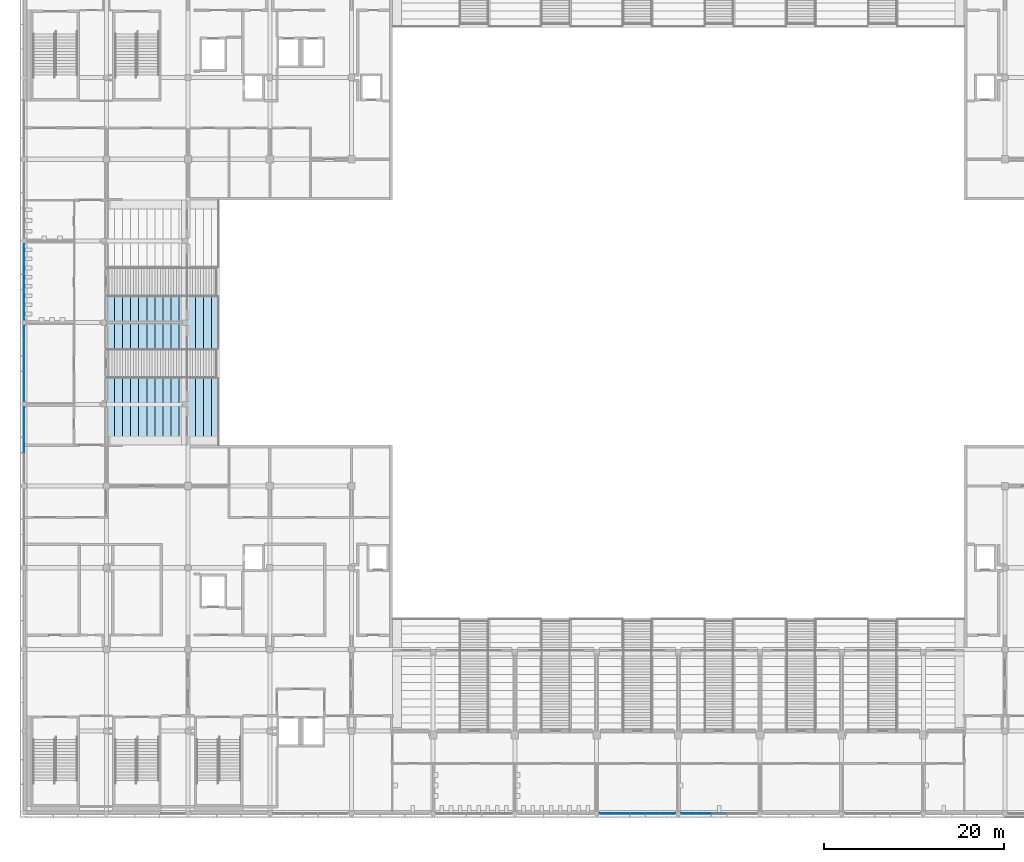
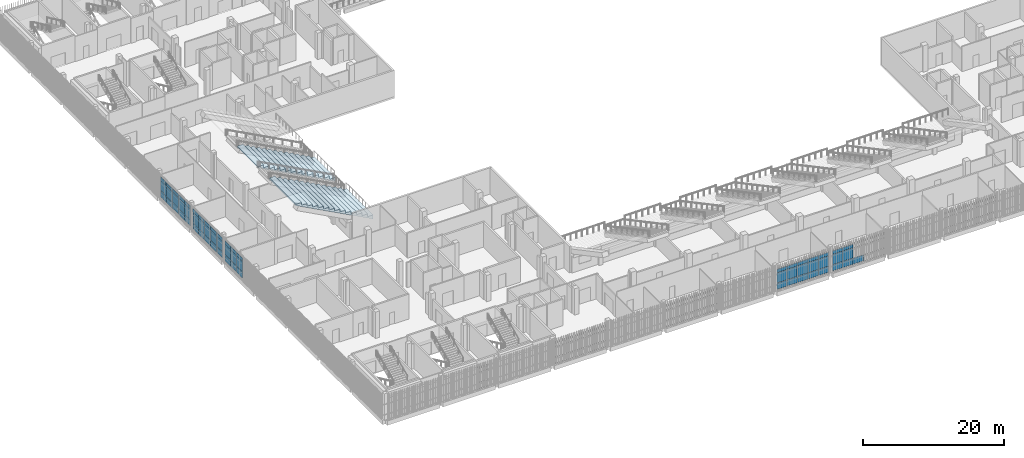
# One storey, part 64 of 139: 61 plates, 2 slabs, 5 elements without a shape of their own.
"""IFC4 building model written with IfcOpenShell, lengths in metres."""

from ifc_helpers import new_model, si_unit, direction, frame, origin, origin_2d, place, context, subcontext, project, spatial, polyline, rectangle, outline, extrude, material, layer, layer_set, type_object, element, aggregate, save


model = new_model("IFC4")

# Units and contexts
model_context = context("Model", 3, precision=1e-05, world=origin(), true_north=direction((0.0, 1.0)))
body_context = subcontext(model_context, "Body", "Model", "MODEL_VIEW")
ifc_project = project(units=[si_unit("LENGTHUNIT", "METRE"), si_unit("AREAUNIT", "SQUARE_METRE"), si_unit("VOLUMEUNIT", "CUBIC_METRE"), si_unit("PLANEANGLEUNIT", "RADIAN"), si_unit("MASSUNIT", "GRAM", prefix="KILO")], contexts=[model_context])

# Site, building, storey
site_placement = place(None, origin())
site = spatial("IfcSite", under=ifc_project, at=site_placement, CompositionType="ELEMENT")
building_placement = place(site_placement, origin())
building = spatial("IfcBuilding", under=site, at=building_placement, Name="Shirokan Park Arena", CompositionType="ELEMENT")
storey_placement = place(building_placement, frame((0.0, 0.0, 15.469970703125)))
storey = spatial("IfcBuildingStorey", under=building, at=storey_placement, Name="L03", CompositionType="ELEMENT", Elevation=15.469970703125)

# Curtain wall, plates
ifc_material_1 = material(Name="Steel and glass curtain wall", Category="steel")
ifc_layer_1 = layer(ifc_material_1, 0.14990234375)
ifc_layer_set_1 = layer_set([ifc_layer_1], Name="Steel and glass curtain wall 150 mm")
curtain_wall_type = type_object("IfcCurtainWallType", Name="Curtain wall exposed bay 150", PredefinedType="NOTDEFINED", material=ifc_layer_set_1)
curtain_wall_1_placement = place(storey_placement, origin())
curtain_wall_1 = element("IfcCurtainWall", 1, at=curtain_wall_1_placement, inside=storey, type_object=curtain_wall_type, Name="Curtain wall south bay 8 L03", PredefinedType="NOTDEFINED")
ifc_material_2 = material(Name="Aluminium sheet", Category="aluminium")
ifc_layer_2 = layer(ifc_material_2, 0.0029296875, Name="Aluminium sheet")
ifc_material_3 = material(Name="Mineral wool insulation")
ifc_layer_3 = layer(ifc_material_3, 0.053955078125, Name="Mineral wool insulation")
ifc_layer_4 = layer(ifc_material_2, 0.0029296875, Name="Aluminium sheet")
ifc_layer_set_2 = layer_set([ifc_layer_2, ifc_layer_3, ifc_layer_4], Name="Aluminium sheet + Mineral wool insulation")
plate_type_1 = type_object("IfcPlateType", Name="Insulated spandrel panel 60", PredefinedType="CURTAIN_PANEL", material=ifc_layer_set_2)
plate_1_placement = place(storey_placement, frame((64.847412109375, -0.074951171875, 2.919921875), z_axis=(0.0, 0.0, 1.0), x_axis=(1.0, 0.0, 0.0)))
plate_1 = element("IfcPlate", 2, at=plate_1_placement, type_object=plate_type_1, Name="CW1 panel 1.3", PredefinedType="CURTAIN_PANEL", context=body_context, shape_type="SweptSolid", body=[
    extrude(rectangle(XDim=1.594970703125, YDim=0.06005859375, at=origin_2d()), origin(), (0.0, 0.0, 1.0), 0.590087890625),
])
plate_2_placement = place(storey_placement, frame((66.530029296875, -0.074951171875, 2.919921875), z_axis=(0.0, 0.0, 1.0), x_axis=(1.0, 0.0, 0.0)))
plate_2 = element("IfcPlate", 3, at=plate_2_placement, type_object=plate_type_1, Name="CW1 panel 2.3", PredefinedType="CURTAIN_PANEL", context=body_context, shape_type="SweptSolid", body=[
    extrude(rectangle(XDim=1.669921875, YDim=0.06005859375, at=origin_2d()), origin(), (0.0, 0.0, 1.0), 0.590087890625),
])
plate_3_placement = place(storey_placement, frame((68.25, -0.074951171875, 2.919921875), z_axis=(0.0, 0.0, 1.0), x_axis=(1.0, 0.0, 0.0)))
plate_3 = element("IfcPlate", 4, at=plate_3_placement, type_object=plate_type_1, Name="CW1 panel 3.3", PredefinedType="CURTAIN_PANEL", context=body_context, shape_type="SweptSolid", body=[
    extrude(rectangle(XDim=1.669921875, YDim=0.06005859375, at=origin_2d()), origin(), (0.0, 0.0, 1.0), 0.590087890625),
])
plate_4_placement = place(storey_placement, frame((69.969970703125, -0.074951171875, 2.919921875), z_axis=(0.0, 0.0, 1.0), x_axis=(1.0, 0.0, 0.0)))
plate_4 = element("IfcPlate", 5, at=plate_4_placement, type_object=plate_type_1, Name="CW1 panel 4.3", PredefinedType="CURTAIN_PANEL", context=body_context, shape_type="SweptSolid", body=[
    extrude(rectangle(XDim=1.669921875, YDim=0.06005859375, at=origin_2d()), origin(), (0.0, 0.0, 1.0), 0.590087890625),
])
plate_5_placement = place(storey_placement, frame((71.652587890625, -0.074951171875, 2.919921875), z_axis=(0.0, 0.0, 1.0), x_axis=(1.0, 0.0, 0.0)))
plate_5 = element("IfcPlate", 6, at=plate_5_placement, type_object=plate_type_1, Name="CW1 panel 5.3", PredefinedType="CURTAIN_PANEL", context=body_context, shape_type="SweptSolid", body=[
    extrude(rectangle(XDim=1.594970703125, YDim=0.06005859375, at=origin_2d()), origin(), (0.0, 0.0, 1.0), 0.590087890625),
])

curtain_wall_2_placement = place(storey_placement, origin())
curtain_wall_2 = element("IfcCurtainWall", 7, at=curtain_wall_2_placement, inside=storey, type_object=curtain_wall_type, Name="Curtain wall south bay 9 L03", PredefinedType="NOTDEFINED")
plate_6_placement = place(storey_placement, frame((73.947509765625, -0.074951171875, 2.919921875), z_axis=(0.0, 0.0, 1.0), x_axis=(1.0, 0.0, 0.0)))
plate_6 = element("IfcPlate", 8, at=plate_6_placement, type_object=plate_type_1, Name="CW1 panel 1.3", PredefinedType="CURTAIN_PANEL", context=body_context, shape_type="SweptSolid", body=[
    extrude(rectangle(XDim=1.594970703125, YDim=0.06005859375, at=origin_2d()), origin(), (0.0, 0.0, 1.0), 0.590087890625),
])
plate_7_placement = place(storey_placement, frame((75.6298828125, -0.074951171875, 2.919921875), z_axis=(0.0, 0.0, 1.0), x_axis=(1.0, 0.0, 0.0)))
plate_7 = element("IfcPlate", 9, at=plate_7_placement, type_object=plate_type_1, Name="CW1 panel 2.3", PredefinedType="CURTAIN_PANEL", context=body_context, shape_type="SweptSolid", body=[
    extrude(rectangle(XDim=1.669921875, YDim=0.06005859375, at=origin_2d()), origin(), (0.0, 0.0, 1.0), 0.590087890625),
])

curtain_wall_3_placement = place(storey_placement, origin())
curtain_wall_3 = element("IfcCurtainWall", 10, at=curtain_wall_3_placement, inside=storey, type_object=curtain_wall_type, Name="Curtain wall west bay 6 L03", PredefinedType="NOTDEFINED")
plate_8_placement = place(storey_placement, frame((-0.074951171875, 62.552490234375, 2.919921875), z_axis=(0.0, 0.0, 1.0), x_axis=(0.0, -1.0, 0.0)))
plate_8 = element("IfcPlate", 11, at=plate_8_placement, type_object=plate_type_1, Name="CW1 panel 1.3", PredefinedType="CURTAIN_PANEL", context=body_context, shape_type="SweptSolid", body=[
    extrude(rectangle(XDim=1.594970703125, YDim=0.06005859375, at=origin_2d()), origin(), (0.0, 0.0, 1.0), 0.590087890625),
])
plate_9_placement = place(storey_placement, frame((-0.074951171875, 60.8701171875, 2.919921875), z_axis=(0.0, 0.0, 1.0), x_axis=(0.0, -1.0, 0.0)))
plate_9 = element("IfcPlate", 12, at=plate_9_placement, type_object=plate_type_1, Name="CW1 panel 2.3", PredefinedType="CURTAIN_PANEL", context=body_context, shape_type="SweptSolid", body=[
    extrude(rectangle(XDim=1.669921875, YDim=0.06005859375, at=origin_2d()), origin(), (0.0, 0.0, 1.0), 0.590087890625),
])
plate_10_placement = place(storey_placement, frame((-0.074951171875, 59.14990234375, 2.919921875), z_axis=(0.0, 0.0, 1.0), x_axis=(0.0, -1.0, 0.0)))
plate_10 = element("IfcPlate", 13, at=plate_10_placement, type_object=plate_type_1, Name="CW1 panel 3.3", PredefinedType="CURTAIN_PANEL", context=body_context, shape_type="SweptSolid", body=[
    extrude(rectangle(XDim=1.669921875, YDim=0.06005859375, at=origin_2d()), origin(), (0.0, 0.0, 1.0), 0.590087890625),
])
plate_11_placement = place(storey_placement, frame((-0.074951171875, 57.429931640625, 2.919921875), z_axis=(0.0, 0.0, 1.0), x_axis=(0.0, -1.0, 0.0)))
plate_11 = element("IfcPlate", 14, at=plate_11_placement, type_object=plate_type_1, Name="CW1 panel 4.3", PredefinedType="CURTAIN_PANEL", context=body_context, shape_type="SweptSolid", body=[
    extrude(rectangle(XDim=1.669921875, YDim=0.06005859375, at=origin_2d()), origin(), (0.0, 0.0, 1.0), 0.590087890625),
])
plate_12_placement = place(storey_placement, frame((-0.074951171875, 55.74755859375, 2.919921875), z_axis=(0.0, 0.0, 1.0), x_axis=(0.0, -1.0, 0.0)))
plate_12 = element("IfcPlate", 15, at=plate_12_placement, type_object=plate_type_1, Name="CW1 panel 5.3", PredefinedType="CURTAIN_PANEL", context=body_context, shape_type="SweptSolid", body=[
    extrude(rectangle(XDim=1.594970703125, YDim=0.06005859375, at=origin_2d()), origin(), (0.0, 0.0, 1.0), 0.590087890625),
])

curtain_wall_4_placement = place(storey_placement, origin())
curtain_wall_4 = element("IfcCurtainWall", 16, at=curtain_wall_4_placement, inside=storey, type_object=curtain_wall_type, Name="Curtain wall west bay 7 L03", PredefinedType="NOTDEFINED")
plate_13_placement = place(storey_placement, frame((-0.074951171875, 53.452392578125, 2.919921875), z_axis=(0.0, 0.0, 1.0), x_axis=(0.0, -1.0, 0.0)))
plate_13 = element("IfcPlate", 17, at=plate_13_placement, type_object=plate_type_1, Name="CW1 panel 1.3", PredefinedType="CURTAIN_PANEL", context=body_context, shape_type="SweptSolid", body=[
    extrude(rectangle(XDim=1.594970703125, YDim=0.06005859375, at=origin_2d()), origin(), (0.0, 0.0, 1.0), 0.590087890625),
])
plate_14_placement = place(storey_placement, frame((-0.074951171875, 51.77001953125, 2.919921875), z_axis=(0.0, 0.0, 1.0), x_axis=(0.0, -1.0, 0.0)))
plate_14 = element("IfcPlate", 18, at=plate_14_placement, type_object=plate_type_1, Name="CW1 panel 2.3", PredefinedType="CURTAIN_PANEL", context=body_context, shape_type="SweptSolid", body=[
    extrude(rectangle(XDim=1.669921875, YDim=0.06005859375, at=origin_2d()), origin(), (0.0, 0.0, 1.0), 0.590087890625),
])
plate_15_placement = place(storey_placement, frame((-0.074951171875, 50.050048828125, 2.919921875), z_axis=(0.0, 0.0, 1.0), x_axis=(0.0, -1.0, 0.0)))
plate_15 = element("IfcPlate", 19, at=plate_15_placement, type_object=plate_type_1, Name="CW1 panel 3.3", PredefinedType="CURTAIN_PANEL", context=body_context, shape_type="SweptSolid", body=[
    extrude(rectangle(XDim=1.669921875, YDim=0.06005859375, at=origin_2d()), origin(), (0.0, 0.0, 1.0), 0.590087890625),
])
plate_16_placement = place(storey_placement, frame((-0.074951171875, 48.330078125, 2.919921875), z_axis=(0.0, 0.0, 1.0), x_axis=(0.0, -1.0, 0.0)))
plate_16 = element("IfcPlate", 20, at=plate_16_placement, type_object=plate_type_1, Name="CW1 panel 4.3", PredefinedType="CURTAIN_PANEL", context=body_context, shape_type="SweptSolid", body=[
    extrude(rectangle(XDim=1.669921875, YDim=0.06005859375, at=origin_2d()), origin(), (0.0, 0.0, 1.0), 0.590087890625),
])
plate_17_placement = place(storey_placement, frame((-0.074951171875, 46.6474609375, 2.919921875), z_axis=(0.0, 0.0, 1.0), x_axis=(0.0, -1.0, 0.0)))
plate_17 = element("IfcPlate", 21, at=plate_17_placement, type_object=plate_type_1, Name="CW1 panel 5.3", PredefinedType="CURTAIN_PANEL", context=body_context, shape_type="SweptSolid", body=[
    extrude(rectangle(XDim=1.594970703125, YDim=0.06005859375, at=origin_2d()), origin(), (0.0, 0.0, 1.0), 0.590087890625),
])

curtain_wall_5_placement = place(storey_placement, origin())
curtain_wall_5 = element("IfcCurtainWall", 22, at=curtain_wall_5_placement, inside=storey, type_object=curtain_wall_type, Name="Curtain wall west bay 8 L03", PredefinedType="NOTDEFINED")
plate_18_placement = place(storey_placement, frame((-0.074951171875, 44.357421875, 2.919921875), z_axis=(0.0, 0.0, 1.0), x_axis=(0.0, -1.0, 0.0)))
plate_18 = element("IfcPlate", 23, at=plate_18_placement, type_object=plate_type_1, Name="CW1 panel 1.3", PredefinedType="CURTAIN_PANEL", context=body_context, shape_type="SweptSolid", body=[
    extrude(rectangle(XDim=1.5849609375, YDim=0.06005859375, at=origin_2d()), origin(), (0.0, 0.0, 1.0), 0.590087890625),
])
plate_19_placement = place(storey_placement, frame((-0.074951171875, 42.68505859375, 2.919921875), z_axis=(0.0, 0.0, 1.0), x_axis=(0.0, -1.0, 0.0)))
plate_19 = element("IfcPlate", 24, at=plate_19_placement, type_object=plate_type_1, Name="CW1 panel 2.3", PredefinedType="CURTAIN_PANEL", context=body_context, shape_type="SweptSolid", body=[
    extrude(rectangle(XDim=1.659912109375, YDim=0.06005859375, at=origin_2d()), origin(), (0.0, 0.0, 1.0), 0.590087890625),
])
plate_20_placement = place(storey_placement, frame((-0.074951171875, 40.97509765625, 2.919921875), z_axis=(0.0, 0.0, 1.0), x_axis=(0.0, -1.0, 0.0)))
plate_20 = element("IfcPlate", 25, at=plate_20_placement, type_object=plate_type_1, Name="CW1 panel 3.3", PredefinedType="CURTAIN_PANEL", context=body_context, shape_type="SweptSolid", body=[
    extrude(rectangle(XDim=1.659912109375, YDim=0.06005859375, at=origin_2d()), origin(), (0.0, 0.0, 1.0), 0.590087890625),
])

# Plate
ifc_material_4 = material(Name="Toughened glass", Category="glass")
ifc_layer_5 = layer(ifc_material_4, 0.012939453125, Name="Toughened glass")
ifc_material_5 = material(Name="Interlayer film")
ifc_layer_6 = layer(ifc_material_5, 0.001953125, Name="Interlayer film")
ifc_layer_7 = layer(ifc_material_4, 0.012939453125, Name="Toughened glass")
ifc_layer_set_3 = layer_set([ifc_layer_5, ifc_layer_6, ifc_layer_7], Name="Toughened glass + Interlayer film")
plate_type_2 = type_object("IfcPlateType", Name="Laminated glass panel 28", PredefinedType="CURTAIN_PANEL", material=ifc_layer_set_3)
plate_21_placement = place(storey_placement, frame((64.847412109375, -0.074951171875, 1.1201171875), z_axis=(0.0, 0.0, 1.0), x_axis=(1.0, 0.0, 0.0)))
plate_21 = element("IfcPlate", 26, at=plate_21_placement, type_object=plate_type_2, Name="CW1 panel 1.2", PredefinedType="CURTAIN_PANEL", context=body_context, shape_type="SweptSolid", body=[
    extrude(rectangle(XDim=1.594970703125, YDim=0.028076171875, at=origin_2d()), origin(), (0.0, 0.0, 1.0), 1.760009765625),
])

plate_22_placement = place(storey_placement, frame((66.530029296875, -0.074951171875, 1.1201171875), z_axis=(0.0, 0.0, 1.0), x_axis=(1.0, 0.0, 0.0)))
plate_22 = element("IfcPlate", 27, at=plate_22_placement, type_object=plate_type_2, Name="CW1 panel 2.2", PredefinedType="CURTAIN_PANEL", context=body_context, shape_type="SweptSolid", body=[
    extrude(rectangle(XDim=1.669921875, YDim=0.028076171875, at=origin_2d()), origin(), (0.0, 0.0, 1.0), 1.760009765625),
])

plate_23_placement = place(storey_placement, frame((68.25, -0.074951171875, 1.1201171875), z_axis=(0.0, 0.0, 1.0), x_axis=(1.0, 0.0, 0.0)))
plate_23 = element("IfcPlate", 28, at=plate_23_placement, type_object=plate_type_2, Name="CW1 panel 3.2", PredefinedType="CURTAIN_PANEL", context=body_context, shape_type="SweptSolid", body=[
    extrude(rectangle(XDim=1.669921875, YDim=0.028076171875, at=origin_2d()), origin(), (0.0, 0.0, 1.0), 1.760009765625),
])

plate_24_placement = place(storey_placement, frame((69.969970703125, -0.074951171875, 1.1201171875), z_axis=(0.0, 0.0, 1.0), x_axis=(1.0, 0.0, 0.0)))
plate_24 = element("IfcPlate", 29, at=plate_24_placement, type_object=plate_type_2, Name="CW1 panel 4.2", PredefinedType="CURTAIN_PANEL", context=body_context, shape_type="SweptSolid", body=[
    extrude(rectangle(XDim=1.669921875, YDim=0.028076171875, at=origin_2d()), origin(), (0.0, 0.0, 1.0), 1.760009765625),
])

plate_25_placement = place(storey_placement, frame((71.652587890625, -0.074951171875, 1.1201171875), z_axis=(0.0, 0.0, 1.0), x_axis=(1.0, 0.0, 0.0)))
plate_25 = element("IfcPlate", 30, at=plate_25_placement, type_object=plate_type_2, Name="CW1 panel 5.2", PredefinedType="CURTAIN_PANEL", context=body_context, shape_type="SweptSolid", body=[
    extrude(rectangle(XDim=1.594970703125, YDim=0.028076171875, at=origin_2d()), origin(), (0.0, 0.0, 1.0), 1.760009765625),
])

plate_26_placement = place(storey_placement, frame((73.947509765625, -0.074951171875, 1.1201171875), z_axis=(0.0, 0.0, 1.0), x_axis=(1.0, 0.0, 0.0)))
plate_26 = element("IfcPlate", 31, at=plate_26_placement, type_object=plate_type_2, Name="CW1 panel 1.2", PredefinedType="CURTAIN_PANEL", context=body_context, shape_type="SweptSolid", body=[
    extrude(rectangle(XDim=1.594970703125, YDim=0.028076171875, at=origin_2d()), origin(), (0.0, 0.0, 1.0), 1.760009765625),
])

plate_27_placement = place(storey_placement, frame((75.6298828125, -0.074951171875, 1.1201171875), z_axis=(0.0, 0.0, 1.0), x_axis=(1.0, 0.0, 0.0)))
plate_27 = element("IfcPlate", 32, at=plate_27_placement, type_object=plate_type_2, Name="CW1 panel 2.2", PredefinedType="CURTAIN_PANEL", context=body_context, shape_type="SweptSolid", body=[
    extrude(rectangle(XDim=1.669921875, YDim=0.028076171875, at=origin_2d()), origin(), (0.0, 0.0, 1.0), 1.760009765625),
])

plate_28_placement = place(storey_placement, frame((-0.074951171875, 62.552490234375, 1.1201171875), z_axis=(0.0, 0.0, 1.0), x_axis=(0.0, -1.0, 0.0)))
plate_28 = element("IfcPlate", 33, at=plate_28_placement, type_object=plate_type_2, Name="CW1 panel 1.2", PredefinedType="CURTAIN_PANEL", context=body_context, shape_type="SweptSolid", body=[
    extrude(rectangle(XDim=1.594970703125, YDim=0.028076171875, at=origin_2d()), origin(), (0.0, 0.0, 1.0), 1.760009765625),
])

plate_29_placement = place(storey_placement, frame((-0.074951171875, 60.8701171875, 1.1201171875), z_axis=(0.0, 0.0, 1.0), x_axis=(0.0, -1.0, 0.0)))
plate_29 = element("IfcPlate", 34, at=plate_29_placement, type_object=plate_type_2, Name="CW1 panel 2.2", PredefinedType="CURTAIN_PANEL", context=body_context, shape_type="SweptSolid", body=[
    extrude(rectangle(XDim=1.669921875, YDim=0.028076171875, at=origin_2d()), origin(), (0.0, 0.0, 1.0), 1.760009765625),
])

plate_30_placement = place(storey_placement, frame((-0.074951171875, 59.14990234375, 1.1201171875), z_axis=(0.0, 0.0, 1.0), x_axis=(0.0, -1.0, 0.0)))
plate_30 = element("IfcPlate", 35, at=plate_30_placement, type_object=plate_type_2, Name="CW1 panel 3.2", PredefinedType="CURTAIN_PANEL", context=body_context, shape_type="SweptSolid", body=[
    extrude(rectangle(XDim=1.669921875, YDim=0.028076171875, at=origin_2d()), origin(), (0.0, 0.0, 1.0), 1.760009765625),
])

plate_31_placement = place(storey_placement, frame((-0.074951171875, 57.429931640625, 1.1201171875), z_axis=(0.0, 0.0, 1.0), x_axis=(0.0, -1.0, 0.0)))
plate_31 = element("IfcPlate", 36, at=plate_31_placement, type_object=plate_type_2, Name="CW1 panel 4.2", PredefinedType="CURTAIN_PANEL", context=body_context, shape_type="SweptSolid", body=[
    extrude(rectangle(XDim=1.669921875, YDim=0.028076171875, at=origin_2d()), origin(), (0.0, 0.0, 1.0), 1.760009765625),
])

plate_32_placement = place(storey_placement, frame((-0.074951171875, 55.74755859375, 1.1201171875), z_axis=(0.0, 0.0, 1.0), x_axis=(0.0, -1.0, 0.0)))
plate_32 = element("IfcPlate", 37, at=plate_32_placement, type_object=plate_type_2, Name="CW1 panel 5.2", PredefinedType="CURTAIN_PANEL", context=body_context, shape_type="SweptSolid", body=[
    extrude(rectangle(XDim=1.594970703125, YDim=0.028076171875, at=origin_2d()), origin(), (0.0, 0.0, 1.0), 1.760009765625),
])

plate_33_placement = place(storey_placement, frame((-0.074951171875, 53.452392578125, 1.1201171875), z_axis=(0.0, 0.0, 1.0), x_axis=(0.0, -1.0, 0.0)))
plate_33 = element("IfcPlate", 38, at=plate_33_placement, type_object=plate_type_2, Name="CW1 panel 1.2", PredefinedType="CURTAIN_PANEL", context=body_context, shape_type="SweptSolid", body=[
    extrude(rectangle(XDim=1.594970703125, YDim=0.028076171875, at=origin_2d()), origin(), (0.0, 0.0, 1.0), 1.760009765625),
])

plate_34_placement = place(storey_placement, frame((-0.074951171875, 51.77001953125, 1.1201171875), z_axis=(0.0, 0.0, 1.0), x_axis=(0.0, -1.0, 0.0)))
plate_34 = element("IfcPlate", 39, at=plate_34_placement, type_object=plate_type_2, Name="CW1 panel 2.2", PredefinedType="CURTAIN_PANEL", context=body_context, shape_type="SweptSolid", body=[
    extrude(rectangle(XDim=1.669921875, YDim=0.028076171875, at=origin_2d()), origin(), (0.0, 0.0, 1.0), 1.760009765625),
])

plate_35_placement = place(storey_placement, frame((-0.074951171875, 50.050048828125, 1.1201171875), z_axis=(0.0, 0.0, 1.0), x_axis=(0.0, -1.0, 0.0)))
plate_35 = element("IfcPlate", 40, at=plate_35_placement, type_object=plate_type_2, Name="CW1 panel 3.2", PredefinedType="CURTAIN_PANEL", context=body_context, shape_type="SweptSolid", body=[
    extrude(rectangle(XDim=1.669921875, YDim=0.028076171875, at=origin_2d()), origin(), (0.0, 0.0, 1.0), 1.760009765625),
])

plate_36_placement = place(storey_placement, frame((-0.074951171875, 48.330078125, 1.1201171875), z_axis=(0.0, 0.0, 1.0), x_axis=(0.0, -1.0, 0.0)))
plate_36 = element("IfcPlate", 41, at=plate_36_placement, type_object=plate_type_2, Name="CW1 panel 4.2", PredefinedType="CURTAIN_PANEL", context=body_context, shape_type="SweptSolid", body=[
    extrude(rectangle(XDim=1.669921875, YDim=0.028076171875, at=origin_2d()), origin(), (0.0, 0.0, 1.0), 1.760009765625),
])

plate_37_placement = place(storey_placement, frame((-0.074951171875, 46.6474609375, 1.1201171875), z_axis=(0.0, 0.0, 1.0), x_axis=(0.0, -1.0, 0.0)))
plate_37 = element("IfcPlate", 42, at=plate_37_placement, type_object=plate_type_2, Name="CW1 panel 5.2", PredefinedType="CURTAIN_PANEL", context=body_context, shape_type="SweptSolid", body=[
    extrude(rectangle(XDim=1.594970703125, YDim=0.028076171875, at=origin_2d()), origin(), (0.0, 0.0, 1.0), 1.760009765625),
])

plate_38_placement = place(storey_placement, frame((-0.074951171875, 44.357421875, 1.1201171875), z_axis=(0.0, 0.0, 1.0), x_axis=(0.0, -1.0, 0.0)))
plate_38 = element("IfcPlate", 43, at=plate_38_placement, type_object=plate_type_2, Name="CW1 panel 1.2", PredefinedType="CURTAIN_PANEL", context=body_context, shape_type="SweptSolid", body=[
    extrude(rectangle(XDim=1.5849609375, YDim=0.028076171875, at=origin_2d()), origin(), (0.0, 0.0, 1.0), 1.760009765625),
])

plate_39_placement = place(storey_placement, frame((-0.074951171875, 42.68505859375, 1.1201171875), z_axis=(0.0, 0.0, 1.0), x_axis=(0.0, -1.0, 0.0)))
plate_39 = element("IfcPlate", 44, at=plate_39_placement, type_object=plate_type_2, Name="CW1 panel 2.2", PredefinedType="CURTAIN_PANEL", context=body_context, shape_type="SweptSolid", body=[
    extrude(rectangle(XDim=1.659912109375, YDim=0.028076171875, at=origin_2d()), origin(), (0.0, 0.0, 1.0), 1.760009765625),
])

plate_40_placement = place(storey_placement, frame((-0.074951171875, 40.97509765625, 1.1201171875), z_axis=(0.0, 0.0, 1.0), x_axis=(0.0, -1.0, 0.0)))
plate_40 = element("IfcPlate", 45, at=plate_40_placement, type_object=plate_type_2, Name="CW1 panel 3.2", PredefinedType="CURTAIN_PANEL", context=body_context, shape_type="SweptSolid", body=[
    extrude(rectangle(XDim=1.659912109375, YDim=0.028076171875, at=origin_2d()), origin(), (0.0, 0.0, 1.0), 1.760009765625),
])

ifc_layer_8 = layer(ifc_material_4, 0.01708984375, Name="Toughened glass")
ifc_layer_9 = layer(ifc_material_5, 0.001953125, Name="Interlayer film")
ifc_layer_10 = layer(ifc_material_4, 0.01708984375, Name="Toughened glass")
ifc_layer_set_4 = layer_set([ifc_layer_8, ifc_layer_9, ifc_layer_10], Name="Toughened glass + Interlayer film")
plate_type_3 = type_object("IfcPlateType", Name="Laminated safety glass panel 36", PredefinedType="CURTAIN_PANEL", material=ifc_layer_set_4)
plate_41_placement = place(storey_placement, frame((64.847412109375, -0.074951171875, 0.0400390625), z_axis=(0.0, 0.0, 1.0), x_axis=(1.0, 0.0, 0.0)))
plate_41 = element("IfcPlate", 46, at=plate_41_placement, type_object=plate_type_3, Name="CW1 panel 1.1", PredefinedType="CURTAIN_PANEL", context=body_context, shape_type="SweptSolid", body=[
    extrude(rectangle(XDim=1.594970703125, YDim=0.035888671875, at=origin_2d()), origin(), (0.0, 0.0, 1.0), 1.0400390625),
])

plate_42_placement = place(storey_placement, frame((66.530029296875, -0.074951171875, 0.0400390625), z_axis=(0.0, 0.0, 1.0), x_axis=(1.0, 0.0, 0.0)))
plate_42 = element("IfcPlate", 47, at=plate_42_placement, type_object=plate_type_3, Name="CW1 panel 2.1", PredefinedType="CURTAIN_PANEL", context=body_context, shape_type="SweptSolid", body=[
    extrude(rectangle(XDim=1.669921875, YDim=0.035888671875, at=origin_2d()), origin(), (0.0, 0.0, 1.0), 1.0400390625),
])

plate_43_placement = place(storey_placement, frame((68.25, -0.074951171875, 0.0400390625), z_axis=(0.0, 0.0, 1.0), x_axis=(1.0, 0.0, 0.0)))
plate_43 = element("IfcPlate", 48, at=plate_43_placement, type_object=plate_type_3, Name="CW1 panel 3.1", PredefinedType="CURTAIN_PANEL", context=body_context, shape_type="SweptSolid", body=[
    extrude(rectangle(XDim=1.669921875, YDim=0.035888671875, at=origin_2d()), origin(), (0.0, 0.0, 1.0), 1.0400390625),
])

plate_44_placement = place(storey_placement, frame((69.969970703125, -0.074951171875, 0.0400390625), z_axis=(0.0, 0.0, 1.0), x_axis=(1.0, 0.0, 0.0)))
plate_44 = element("IfcPlate", 49, at=plate_44_placement, type_object=plate_type_3, Name="CW1 panel 4.1", PredefinedType="CURTAIN_PANEL", context=body_context, shape_type="SweptSolid", body=[
    extrude(rectangle(XDim=1.669921875, YDim=0.035888671875, at=origin_2d()), origin(), (0.0, 0.0, 1.0), 1.0400390625),
])

plate_45_placement = place(storey_placement, frame((71.652587890625, -0.074951171875, 0.0400390625), z_axis=(0.0, 0.0, 1.0), x_axis=(1.0, 0.0, 0.0)))
plate_45 = element("IfcPlate", 50, at=plate_45_placement, type_object=plate_type_3, Name="CW1 panel 5.1", PredefinedType="CURTAIN_PANEL", context=body_context, shape_type="SweptSolid", body=[
    extrude(rectangle(XDim=1.594970703125, YDim=0.035888671875, at=origin_2d()), origin(), (0.0, 0.0, 1.0), 1.0400390625),
])

aggregate(curtain_wall_1, [plate_41, plate_21, plate_1, plate_42, plate_22, plate_2, plate_43, plate_23, plate_3, plate_44, plate_24, plate_4, plate_45, plate_25, plate_5])

plate_46_placement = place(storey_placement, frame((73.947509765625, -0.074951171875, 0.0400390625), z_axis=(0.0, 0.0, 1.0), x_axis=(1.0, 0.0, 0.0)))
plate_46 = element("IfcPlate", 51, at=plate_46_placement, type_object=plate_type_3, Name="CW1 panel 1.1", PredefinedType="CURTAIN_PANEL", context=body_context, shape_type="SweptSolid", body=[
    extrude(rectangle(XDim=1.594970703125, YDim=0.035888671875, at=origin_2d()), origin(), (0.0, 0.0, 1.0), 1.0400390625),
])

plate_47_placement = place(storey_placement, frame((75.6298828125, -0.074951171875, 0.0400390625), z_axis=(0.0, 0.0, 1.0), x_axis=(1.0, 0.0, 0.0)))
plate_47 = element("IfcPlate", 52, at=plate_47_placement, type_object=plate_type_3, Name="CW1 panel 2.1", PredefinedType="CURTAIN_PANEL", context=body_context, shape_type="SweptSolid", body=[
    extrude(rectangle(XDim=1.669921875, YDim=0.035888671875, at=origin_2d()), origin(), (0.0, 0.0, 1.0), 1.0400390625),
])

plate_48_placement = place(storey_placement, frame((77.35009765625, -0.074951171875, 0.0400390625), z_axis=(0.0, 0.0, 1.0), x_axis=(1.0, 0.0, 0.0)))
plate_48 = element("IfcPlate", 53, at=plate_48_placement, type_object=plate_type_3, Name="CW1 panel 3.1", PredefinedType="CURTAIN_PANEL", context=body_context, shape_type="SweptSolid", body=[
    extrude(rectangle(XDim=1.669921875, YDim=0.035888671875, at=origin_2d()), origin(), (0.0, 0.0, 1.0), 1.0400390625),
])

aggregate(curtain_wall_2, [plate_46, plate_26, plate_6, plate_47, plate_27, plate_7, plate_48])

plate_49_placement = place(storey_placement, frame((-0.074951171875, 62.552490234375, 0.0400390625), z_axis=(0.0, 0.0, 1.0), x_axis=(0.0, -1.0, 0.0)))
plate_49 = element("IfcPlate", 54, at=plate_49_placement, type_object=plate_type_3, Name="CW1 panel 1.1", PredefinedType="CURTAIN_PANEL", context=body_context, shape_type="SweptSolid", body=[
    extrude(rectangle(XDim=1.594970703125, YDim=0.035888671875, at=origin_2d()), origin(), (0.0, 0.0, 1.0), 1.0400390625),
])

plate_50_placement = place(storey_placement, frame((-0.074951171875, 60.8701171875, 0.0400390625), z_axis=(0.0, 0.0, 1.0), x_axis=(0.0, -1.0, 0.0)))
plate_50 = element("IfcPlate", 55, at=plate_50_placement, type_object=plate_type_3, Name="CW1 panel 2.1", PredefinedType="CURTAIN_PANEL", context=body_context, shape_type="SweptSolid", body=[
    extrude(rectangle(XDim=1.669921875, YDim=0.035888671875, at=origin_2d()), origin(), (0.0, 0.0, 1.0), 1.0400390625),
])

plate_51_placement = place(storey_placement, frame((-0.074951171875, 59.14990234375, 0.0400390625), z_axis=(0.0, 0.0, 1.0), x_axis=(0.0, -1.0, 0.0)))
plate_51 = element("IfcPlate", 56, at=plate_51_placement, type_object=plate_type_3, Name="CW1 panel 3.1", PredefinedType="CURTAIN_PANEL", context=body_context, shape_type="SweptSolid", body=[
    extrude(rectangle(XDim=1.669921875, YDim=0.035888671875, at=origin_2d()), origin(), (0.0, 0.0, 1.0), 1.0400390625),
])

plate_52_placement = place(storey_placement, frame((-0.074951171875, 57.429931640625, 0.0400390625), z_axis=(0.0, 0.0, 1.0), x_axis=(0.0, -1.0, 0.0)))
plate_52 = element("IfcPlate", 57, at=plate_52_placement, type_object=plate_type_3, Name="CW1 panel 4.1", PredefinedType="CURTAIN_PANEL", context=body_context, shape_type="SweptSolid", body=[
    extrude(rectangle(XDim=1.669921875, YDim=0.035888671875, at=origin_2d()), origin(), (0.0, 0.0, 1.0), 1.0400390625),
])

plate_53_placement = place(storey_placement, frame((-0.074951171875, 55.74755859375, 0.0400390625), z_axis=(0.0, 0.0, 1.0), x_axis=(0.0, -1.0, 0.0)))
plate_53 = element("IfcPlate", 58, at=plate_53_placement, type_object=plate_type_3, Name="CW1 panel 5.1", PredefinedType="CURTAIN_PANEL", context=body_context, shape_type="SweptSolid", body=[
    extrude(rectangle(XDim=1.594970703125, YDim=0.035888671875, at=origin_2d()), origin(), (0.0, 0.0, 1.0), 1.0400390625),
])

aggregate(curtain_wall_3, [plate_49, plate_28, plate_8, plate_50, plate_29, plate_9, plate_51, plate_30, plate_10, plate_52, plate_31, plate_11, plate_53, plate_32, plate_12])

plate_54_placement = place(storey_placement, frame((-0.074951171875, 53.452392578125, 0.0400390625), z_axis=(0.0, 0.0, 1.0), x_axis=(0.0, -1.0, 0.0)))
plate_54 = element("IfcPlate", 59, at=plate_54_placement, type_object=plate_type_3, Name="CW1 panel 1.1", PredefinedType="CURTAIN_PANEL", context=body_context, shape_type="SweptSolid", body=[
    extrude(rectangle(XDim=1.594970703125, YDim=0.035888671875, at=origin_2d()), origin(), (0.0, 0.0, 1.0), 1.0400390625),
])

plate_55_placement = place(storey_placement, frame((-0.074951171875, 51.77001953125, 0.0400390625), z_axis=(0.0, 0.0, 1.0), x_axis=(0.0, -1.0, 0.0)))
plate_55 = element("IfcPlate", 60, at=plate_55_placement, type_object=plate_type_3, Name="CW1 panel 2.1", PredefinedType="CURTAIN_PANEL", context=body_context, shape_type="SweptSolid", body=[
    extrude(rectangle(XDim=1.669921875, YDim=0.035888671875, at=origin_2d()), origin(), (0.0, 0.0, 1.0), 1.0400390625),
])

plate_56_placement = place(storey_placement, frame((-0.074951171875, 50.050048828125, 0.0400390625), z_axis=(0.0, 0.0, 1.0), x_axis=(0.0, -1.0, 0.0)))
plate_56 = element("IfcPlate", 61, at=plate_56_placement, type_object=plate_type_3, Name="CW1 panel 3.1", PredefinedType="CURTAIN_PANEL", context=body_context, shape_type="SweptSolid", body=[
    extrude(rectangle(XDim=1.669921875, YDim=0.035888671875, at=origin_2d()), origin(), (0.0, 0.0, 1.0), 1.0400390625),
])

plate_57_placement = place(storey_placement, frame((-0.074951171875, 48.330078125, 0.0400390625), z_axis=(0.0, 0.0, 1.0), x_axis=(0.0, -1.0, 0.0)))
plate_57 = element("IfcPlate", 62, at=plate_57_placement, type_object=plate_type_3, Name="CW1 panel 4.1", PredefinedType="CURTAIN_PANEL", context=body_context, shape_type="SweptSolid", body=[
    extrude(rectangle(XDim=1.669921875, YDim=0.035888671875, at=origin_2d()), origin(), (0.0, 0.0, 1.0), 1.0400390625),
])

plate_58_placement = place(storey_placement, frame((-0.074951171875, 46.6474609375, 0.0400390625), z_axis=(0.0, 0.0, 1.0), x_axis=(0.0, -1.0, 0.0)))
plate_58 = element("IfcPlate", 63, at=plate_58_placement, type_object=plate_type_3, Name="CW1 panel 5.1", PredefinedType="CURTAIN_PANEL", context=body_context, shape_type="SweptSolid", body=[
    extrude(rectangle(XDim=1.594970703125, YDim=0.035888671875, at=origin_2d()), origin(), (0.0, 0.0, 1.0), 1.0400390625),
])

aggregate(curtain_wall_4, [plate_54, plate_33, plate_13, plate_55, plate_34, plate_14, plate_56, plate_35, plate_15, plate_57, plate_36, plate_16, plate_58, plate_37, plate_17])

plate_59_placement = place(storey_placement, frame((-0.074951171875, 44.357421875, 0.0400390625), z_axis=(0.0, 0.0, 1.0), x_axis=(0.0, -1.0, 0.0)))
plate_59 = element("IfcPlate", 64, at=plate_59_placement, type_object=plate_type_3, Name="CW1 panel 1.1", PredefinedType="CURTAIN_PANEL", context=body_context, shape_type="SweptSolid", body=[
    extrude(rectangle(XDim=1.5849609375, YDim=0.035888671875, at=origin_2d()), origin(), (0.0, 0.0, 1.0), 1.0400390625),
])

plate_60_placement = place(storey_placement, frame((-0.074951171875, 42.68505859375, 0.0400390625), z_axis=(0.0, 0.0, 1.0), x_axis=(0.0, -1.0, 0.0)))
plate_60 = element("IfcPlate", 65, at=plate_60_placement, type_object=plate_type_3, Name="CW1 panel 2.1", PredefinedType="CURTAIN_PANEL", context=body_context, shape_type="SweptSolid", body=[
    extrude(rectangle(XDim=1.659912109375, YDim=0.035888671875, at=origin_2d()), origin(), (0.0, 0.0, 1.0), 1.0400390625),
])

plate_61_placement = place(storey_placement, frame((-0.074951171875, 40.97509765625, 0.0400390625), z_axis=(0.0, 0.0, 1.0), x_axis=(0.0, -1.0, 0.0)))
plate_61 = element("IfcPlate", 66, at=plate_61_placement, type_object=plate_type_3, Name="CW1 panel 3.1", PredefinedType="CURTAIN_PANEL", context=body_context, shape_type="SweptSolid", body=[
    extrude(rectangle(XDim=1.659912109375, YDim=0.035888671875, at=origin_2d()), origin(), (0.0, 0.0, 1.0), 1.0400390625),
])

aggregate(curtain_wall_5, [plate_59, plate_38, plate_18, plate_60, plate_39, plate_19, plate_61, plate_40, plate_20])

# Slabs
ifc_material_6 = material(Name="Concrete C35", Category="concrete")
ifc_layer_11 = layer(ifc_material_6, 0.199951171875)
ifc_layer_set_5 = layer_set([ifc_layer_11], Name="Concrete C35 200 mm")
slab_type = type_object("IfcSlabType", Name="RC seating tier upper 200", PredefinedType="USERDEFINED", material=ifc_layer_set_5)
slab_1_placement = place(storey_placement, frame((21.699951171875, 44.699951171875, 2.860107421875), z_axis=(0.0, 0.0, 1.0), x_axis=(-1.0, 0.0, 0.0)))
element("IfcSlab", 67, at=slab_1_placement, inside=storey, type_object=slab_type, Name="Stand upper W 1", ObjectType="SEATING TIER", PredefinedType="USERDEFINED", context=body_context, shape_type="SweptSolid", body=[
    extrude(outline(polyline([(0.0, 0.0), (0.89990234375, 0.0), (0.89990234375, 0.47998046875), (1.800048828125, 0.47998046875), (1.800048828125, 0.9599609375), (2.699951171875, 0.9599609375), (2.699951171875, 1.43994140625), (3.60009765625, 1.43994140625), (3.60009765625, 1.919921875), (4.5, 1.919921875), (4.5, 2.39990234375), (5.39990234375, 2.39990234375), (5.39990234375, 2.8798828125), (6.300048828125, 2.8798828125), (6.300048828125, 3.360107421875), (7.199951171875, 3.360107421875), (7.199951171875, 3.840087890625), (8.10009765625, 3.840087890625), (8.10009765625, 4.320068359375), (9.0, 4.320068359375), (9.0, 4.800048828125), (9.89990234375, 4.800048828125), (9.89990234375, 5.280029296875), (10.800048828125, 5.280029296875), (10.800048828125, 5.760009765625), (11.699951171875, 5.760009765625), (11.699951171875, 6.239990234375), (12.60009765625, 6.239990234375), (12.60009765625, 6.013427734375), (0.0, -0.706787109375), (0.0, 0.0)])), frame((0.0, 3.75, 0.0), z_axis=(0.0, -1.0, 0.0), x_axis=(1.0, 0.0, 0.0)), (0.0, 0.0, 1.0), 7.5),
])
slab_2_placement = place(storey_placement, frame((21.699951171875, 54.60009765625, 2.860107421875), z_axis=(0.0, 0.0, 1.0), x_axis=(-1.0, 0.0, 0.0)))
element("IfcSlab", 68, at=slab_2_placement, inside=storey, type_object=slab_type, Name="Stand upper W 2", ObjectType="SEATING TIER", PredefinedType="USERDEFINED", context=body_context, shape_type="SweptSolid", body=[
    extrude(outline(polyline([(0.0, 0.0), (0.89990234375, 0.0), (0.89990234375, 0.47998046875), (1.800048828125, 0.47998046875), (1.800048828125, 0.9599609375), (2.699951171875, 0.9599609375), (2.699951171875, 1.43994140625), (3.60009765625, 1.43994140625), (3.60009765625, 1.919921875), (4.5, 1.919921875), (4.5, 2.39990234375), (5.39990234375, 2.39990234375), (5.39990234375, 2.8798828125), (6.300048828125, 2.8798828125), (6.300048828125, 3.360107421875), (7.199951171875, 3.360107421875), (7.199951171875, 3.840087890625), (8.10009765625, 3.840087890625), (8.10009765625, 4.320068359375), (9.0, 4.320068359375), (9.0, 4.800048828125), (9.89990234375, 4.800048828125), (9.89990234375, 5.280029296875), (10.800048828125, 5.280029296875), (10.800048828125, 5.760009765625), (11.699951171875, 5.760009765625), (11.699951171875, 6.239990234375), (12.60009765625, 6.239990234375), (12.60009765625, 6.013427734375), (0.0, -0.706787109375), (0.0, 0.0)])), frame((0.0, 2.949951171875, 0.0), z_axis=(0.0, -1.0, 0.0), x_axis=(1.0, 0.0, 0.0)), (0.0, 0.0, 1.0), 5.89990234375),
])

save(model, "model.ifc")
